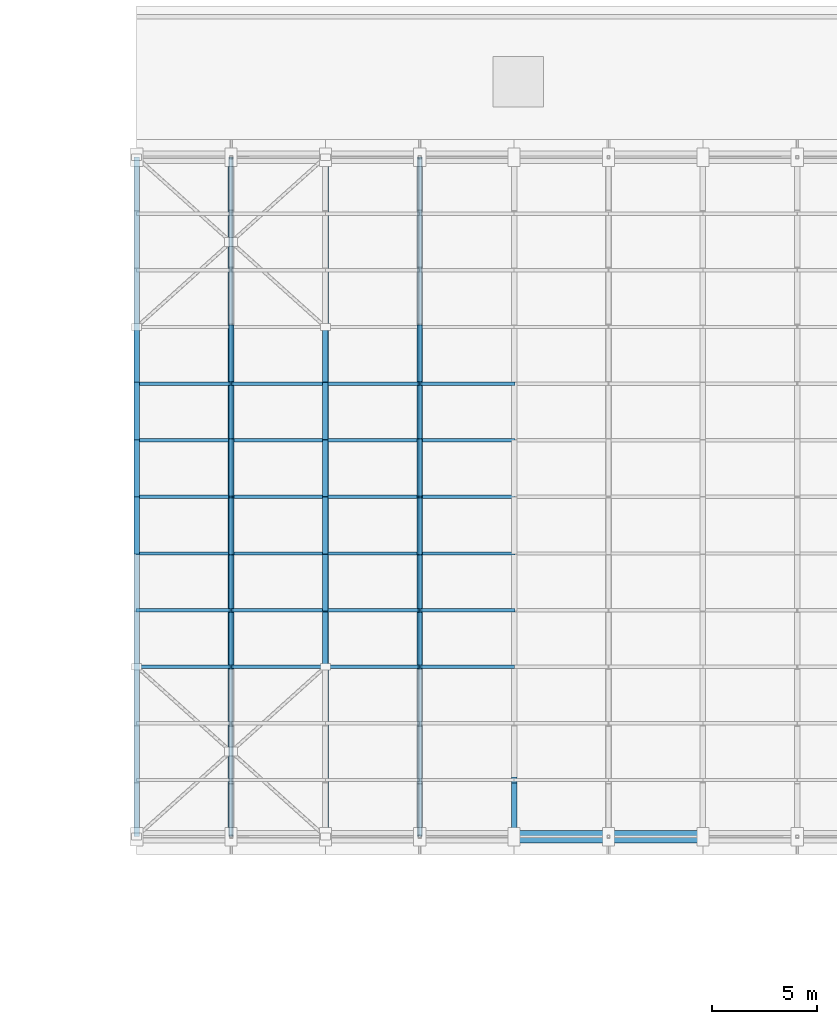
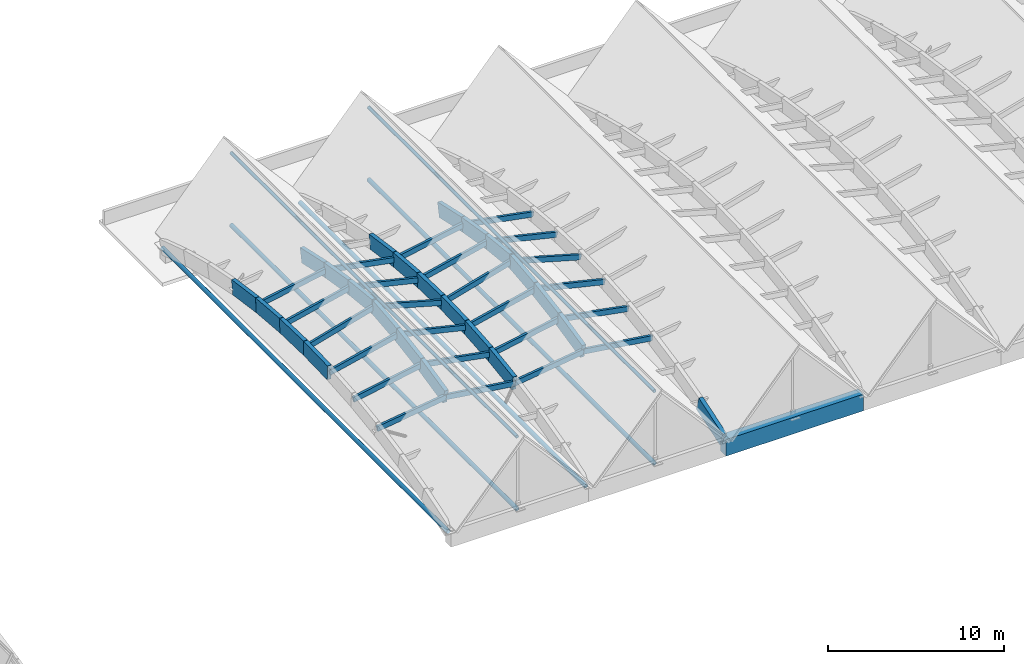
# One storey, part 13 of 39: 53 members, 1 beam.
"""IFC4 building model written with IfcOpenShell, lengths in metres."""

from ifc_helpers import new_model, si_unit, direction, frame, origin, origin_2d, place, context, subcontext, project, spatial, rectangle, hollow_circle, extrude, material, material_profile, profile_set, type_object, element, save


model = new_model("IFC4")

# Units and contexts
model_context = context("Model", 3, precision=1e-05, world=origin(), true_north=direction((0.0, 1.0)))
body_context = subcontext(model_context, "Body", "Model", "MODEL_VIEW")
ifc_project = project(units=[si_unit("LENGTHUNIT", "METRE"), si_unit("AREAUNIT", "SQUARE_METRE"), si_unit("VOLUMEUNIT", "CUBIC_METRE"), si_unit("PLANEANGLEUNIT", "RADIAN"), si_unit("MASSUNIT", "GRAM", prefix="KILO")], contexts=[model_context])

# Site, building, storey
site_placement = place(None, origin())
site = spatial("IfcSite", under=ifc_project, at=site_placement, CompositionType="ELEMENT")
building_placement = place(site_placement, origin())
building = spatial("IfcBuilding", under=site, at=building_placement, Name="Tizgana Railside Sports Hall", CompositionType="ELEMENT")
storey_placement = place(building_placement, frame((0.0, 0.0, 23.699951171875)))
storey = spatial("IfcBuildingStorey", under=building, at=storey_placement, Name="RF", CompositionType="ELEMENT", Elevation=23.699951171875)

# Beam
ifc_material_1 = material(Name="Concrete C40/50", Category="concrete")
ifc_material_profile_1 = material_profile(ifc_material_1, rectangle(XDim=0.60009765625, YDim=1.14990234375, at=origin_2d()), Name="RCB 600x1150")
ifc_profile_set_1 = profile_set([ifc_material_profile_1], Name="Concrete C40/50")
beam_type = type_object("IfcBeamType", Name="Concrete Beam RCB 600x1150", PredefinedType="BEAM", material=ifc_profile_set_1)
beam_placement = place(storey_placement, frame((97.800048828125, 40.800048828125, -3.27490234375), z_axis=(1.0, 0.0, 0.0), x_axis=(0.0, 1.0, 0.0)))
element("IfcBeam", 1, at=beam_placement, inside=storey, type_object=beam_type, Name="RF BEM-1225", PredefinedType="BEAM", context=body_context, shape_type="SweptSolid", body=[
    extrude(rectangle(XDim=0.60009765625, YDim=1.14990234375, at=origin_2d()), origin(), (0.0, 0.0, 1.0), 9.0),
])

# Members
ifc_material_2 = material(Name="Glulam GL32h", Category="wood")
ifc_material_profile_2 = material_profile(ifc_material_2, rectangle(XDim=0.260009765625, YDim=0.97998046875, at=origin_2d()), Name="GL 260x980")
ifc_profile_set_2 = profile_set([ifc_material_profile_2], Name="Glulam GL32h")
member_type_1 = type_object("IfcMemberType", Name="Glulam Arch Segment GL 260x980", PredefinedType="USERDEFINED", material=ifc_profile_set_2)
for number, where, z_axis, x_axis, name in (
    (2, (79.800048828125, 54.300048828125, -0.109619140625), (0.0, 0.999602270029, 0.028201094877), (-1.0, 0.0, 0.0), "RF V2 Arch Chord MEM-0411"),
    (3, (79.800048828125, 57.0, -0.033447265625), (0.0, 0.999602270029, -0.028201094877), (-1.0, 0.0, 0.0), "RF V2 Arch Chord MEM-0412"),
):
    element("IfcMember", number, at=place(storey_placement, frame(where, z_axis=z_axis, x_axis=x_axis)), inside=storey, type_object=member_type_1, Name=name, ObjectType="ARCH_SEGMENT", PredefinedType="USERDEFINED", context=body_context, shape_type="SweptSolid", body=[
        extrude(rectangle(XDim=0.260009765625, YDim=0.97998046875, at=origin_2d()), origin(), (0.0, 0.0, 1.0), 2.700927734375),
    ])
member_1_placement = place(storey_placement, frame((79.800048828125, 59.699951171875, -0.109619140625), z_axis=(0.0, 0.996437422353, -0.084335421586), x_axis=(-1.0, 0.0, 0.0)))
element("IfcMember", 4, at=member_1_placement, inside=storey, type_object=member_type_1, Name="RF V2 Arch Chord MEM-0413", ObjectType="ARCH_SEGMENT", PredefinedType="USERDEFINED", context=body_context, shape_type="SweptSolid", body=[
    extrude(rectangle(XDim=0.260009765625, YDim=0.97998046875, at=origin_2d()), origin(), (0.0, 0.0, 1.0), 2.709716796875),
])
member_2_placement = place(storey_placement, frame((79.800048828125, 62.39990234375, -0.338134765625), z_axis=(0.0, 0.990049503072, -0.140719513456), x_axis=(-1.0, 0.0, 0.0)))
element("IfcMember", 5, at=member_2_placement, inside=storey, type_object=member_type_1, Name="RF V2 Arch Chord MEM-0414", ObjectType="ARCH_SEGMENT", PredefinedType="USERDEFINED", context=body_context, shape_type="SweptSolid", body=[
    extrude(rectangle(XDim=0.260009765625, YDim=0.97998046875, at=origin_2d()), origin(), (0.0, 0.0, 1.0), 2.727294921875),
])
member_3_placement = place(storey_placement, frame((84.300048828125, 48.89990234375, -0.08447265625), z_axis=(0.0, 0.976481148201, 0.21560279963), x_axis=(-1.0, 0.0, 0.0)))
element("IfcMember", 6, at=member_3_placement, inside=storey, type_object=member_type_1, Name="RF V2 Arch Chord MEM-0422", ObjectType="ARCH_SEGMENT", PredefinedType="USERDEFINED", context=body_context, shape_type="SweptSolid", body=[
    extrude(rectangle(XDim=0.260009765625, YDim=0.97998046875, at=origin_2d()), origin(), (0.0, 0.0, 1.0), 2.76513671875),
])
member_4_placement = place(storey_placement, frame((84.300048828125, 51.60009765625, 0.51171875), z_axis=(0.0, 0.986912309377, 0.161257848182), x_axis=(-1.0, 0.0, 0.0)))
element("IfcMember", 7, at=member_4_placement, inside=storey, type_object=member_type_1, Name="RF V2 Arch Chord MEM-0423", ObjectType="ARCH_SEGMENT", PredefinedType="USERDEFINED", context=body_context, shape_type="SweptSolid", body=[
    extrude(rectangle(XDim=0.260009765625, YDim=0.97998046875, at=origin_2d()), origin(), (0.0, 0.0, 1.0), 2.73583984375),
])
for number, where, z_axis, x_axis, name in (
    (8, (84.300048828125, 54.300048828125, 0.952880859375), (0.0, 0.994336672512, 0.106275969519), (-1.0, 0.0, 0.0), "RF V2 Arch Chord MEM-0424"),
    (9, (84.300048828125, 57.0, 1.241455078125), (0.0, 0.994336672512, -0.106275969519), (-1.0, 0.0, 0.0), "RF V2 Arch Chord MEM-0425"),
):
    element("IfcMember", number, at=place(storey_placement, frame(where, z_axis=z_axis, x_axis=x_axis)), inside=storey, type_object=member_type_1, Name=name, ObjectType="ARCH_SEGMENT", PredefinedType="USERDEFINED", context=body_context, shape_type="SweptSolid", body=[
        extrude(rectangle(XDim=0.260009765625, YDim=0.97998046875, at=origin_2d()), origin(), (0.0, 0.0, 1.0), 2.71533203125),
    ])
member_5_placement = place(storey_placement, frame((84.300048828125, 59.699951171875, 0.952880859375), z_axis=(0.0, 0.986912309377, -0.161257848182), x_axis=(-1.0, 0.0, 0.0)))
element("IfcMember", 10, at=member_5_placement, inside=storey, type_object=member_type_1, Name="RF V2 Arch Chord MEM-0426", ObjectType="ARCH_SEGMENT", PredefinedType="USERDEFINED", context=body_context, shape_type="SweptSolid", body=[
    extrude(rectangle(XDim=0.260009765625, YDim=0.97998046875, at=origin_2d()), origin(), (0.0, 0.0, 1.0), 2.73583984375),
])
member_6_placement = place(storey_placement, frame((84.300048828125, 62.39990234375, 0.51171875), z_axis=(0.0, 0.976481148201, -0.21560279963), x_axis=(-1.0, 0.0, 0.0)))
element("IfcMember", 11, at=member_6_placement, inside=storey, type_object=member_type_1, Name="RF V2 Arch Chord MEM-0427", ObjectType="ARCH_SEGMENT", PredefinedType="USERDEFINED", context=body_context, shape_type="SweptSolid", body=[
    extrude(rectangle(XDim=0.260009765625, YDim=0.97998046875, at=origin_2d()), origin(), (0.0, 0.0, 1.0), 2.76513671875),
])
member_7_placement = place(storey_placement, frame((88.800048828125, 48.89990234375, -0.721923828125), z_axis=(0.0, 0.990049503072, 0.140719513456), x_axis=(-1.0, 0.0, 0.0)))
element("IfcMember", 12, at=member_7_placement, inside=storey, type_object=member_type_1, Name="RF V2 Arch Chord MEM-0435", ObjectType="ARCH_SEGMENT", PredefinedType="USERDEFINED", context=body_context, shape_type="SweptSolid", body=[
    extrude(rectangle(XDim=0.260009765625, YDim=0.97998046875, at=origin_2d()), origin(), (0.0, 0.0, 1.0), 2.727294921875),
])
member_8_placement = place(storey_placement, frame((88.800048828125, 51.60009765625, -0.338134765625), z_axis=(0.0, 0.996437422353, 0.084335421586), x_axis=(-1.0, 0.0, 0.0)))
element("IfcMember", 13, at=member_8_placement, inside=storey, type_object=member_type_1, Name="RF V2 Arch Chord MEM-0436", ObjectType="ARCH_SEGMENT", PredefinedType="USERDEFINED", context=body_context, shape_type="SweptSolid", body=[
    extrude(rectangle(XDim=0.260009765625, YDim=0.97998046875, at=origin_2d()), origin(), (0.0, 0.0, 1.0), 2.709716796875),
])
for number, where, z_axis, x_axis, name in (
    (14, (88.800048828125, 54.300048828125, -0.109619140625), (0.0, 0.999602270029, 0.028201094877), (-1.0, 0.0, 0.0), "RF V2 Arch Chord MEM-0437"),
    (15, (88.800048828125, 57.0, -0.033447265625), (0.0, 0.999602270029, -0.028201094877), (-1.0, 0.0, 0.0), "RF V2 Arch Chord MEM-0438"),
):
    element("IfcMember", number, at=place(storey_placement, frame(where, z_axis=z_axis, x_axis=x_axis)), inside=storey, type_object=member_type_1, Name=name, ObjectType="ARCH_SEGMENT", PredefinedType="USERDEFINED", context=body_context, shape_type="SweptSolid", body=[
        extrude(rectangle(XDim=0.260009765625, YDim=0.97998046875, at=origin_2d()), origin(), (0.0, 0.0, 1.0), 2.700927734375),
    ])
member_9_placement = place(storey_placement, frame((88.800048828125, 59.699951171875, -0.109619140625), z_axis=(0.0, 0.996437422353, -0.084335421586), x_axis=(-1.0, 0.0, 0.0)))
element("IfcMember", 16, at=member_9_placement, inside=storey, type_object=member_type_1, Name="RF V2 Arch Chord MEM-0439", ObjectType="ARCH_SEGMENT", PredefinedType="USERDEFINED", context=body_context, shape_type="SweptSolid", body=[
    extrude(rectangle(XDim=0.260009765625, YDim=0.97998046875, at=origin_2d()), origin(), (0.0, 0.0, 1.0), 2.709716796875),
])
member_10_placement = place(storey_placement, frame((88.800048828125, 62.39990234375, -0.338134765625), z_axis=(0.0, 0.990049503072, -0.140719513456), x_axis=(-1.0, 0.0, 0.0)))
element("IfcMember", 17, at=member_10_placement, inside=storey, type_object=member_type_1, Name="RF V2 Arch Chord MEM-0440", ObjectType="ARCH_SEGMENT", PredefinedType="USERDEFINED", context=body_context, shape_type="SweptSolid", body=[
    extrude(rectangle(XDim=0.260009765625, YDim=0.97998046875, at=origin_2d()), origin(), (0.0, 0.0, 1.0), 2.727294921875),
])
member_11_placement = place(storey_placement, frame((93.300048828125, 48.89990234375, -0.08447265625), z_axis=(0.0, 0.976481148201, 0.21560279963), x_axis=(-1.0, 0.0, 0.0)))
element("IfcMember", 18, at=member_11_placement, inside=storey, type_object=member_type_1, Name="RF V2 Arch Chord MEM-0448", ObjectType="ARCH_SEGMENT", PredefinedType="USERDEFINED", context=body_context, shape_type="SweptSolid", body=[
    extrude(rectangle(XDim=0.260009765625, YDim=0.97998046875, at=origin_2d()), origin(), (0.0, 0.0, 1.0), 2.76513671875),
])
member_12_placement = place(storey_placement, frame((93.300048828125, 51.60009765625, 0.51171875), z_axis=(0.0, 0.986912309377, 0.161257848182), x_axis=(-1.0, 0.0, 0.0)))
element("IfcMember", 19, at=member_12_placement, inside=storey, type_object=member_type_1, Name="RF V2 Arch Chord MEM-0449", ObjectType="ARCH_SEGMENT", PredefinedType="USERDEFINED", context=body_context, shape_type="SweptSolid", body=[
    extrude(rectangle(XDim=0.260009765625, YDim=0.97998046875, at=origin_2d()), origin(), (0.0, 0.0, 1.0), 2.73583984375),
])
for number, where, z_axis, x_axis, name in (
    (20, (93.300048828125, 54.300048828125, 0.952880859375), (0.0, 0.994336672512, 0.106275969519), (-1.0, 0.0, 0.0), "RF V2 Arch Chord MEM-0450"),
    (21, (93.300048828125, 57.0, 1.241455078125), (0.0, 0.994336672512, -0.106275969519), (-1.0, 0.0, 0.0), "RF V2 Arch Chord MEM-0451"),
):
    element("IfcMember", number, at=place(storey_placement, frame(where, z_axis=z_axis, x_axis=x_axis)), inside=storey, type_object=member_type_1, Name=name, ObjectType="ARCH_SEGMENT", PredefinedType="USERDEFINED", context=body_context, shape_type="SweptSolid", body=[
        extrude(rectangle(XDim=0.260009765625, YDim=0.97998046875, at=origin_2d()), origin(), (0.0, 0.0, 1.0), 2.71533203125),
    ])
member_13_placement = place(storey_placement, frame((93.300048828125, 59.699951171875, 0.952880859375), z_axis=(0.0, 0.986912309377, -0.161257848182), x_axis=(-1.0, 0.0, 0.0)))
element("IfcMember", 22, at=member_13_placement, inside=storey, type_object=member_type_1, Name="RF V2 Arch Chord MEM-0452", ObjectType="ARCH_SEGMENT", PredefinedType="USERDEFINED", context=body_context, shape_type="SweptSolid", body=[
    extrude(rectangle(XDim=0.260009765625, YDim=0.97998046875, at=origin_2d()), origin(), (0.0, 0.0, 1.0), 2.73583984375),
])
member_14_placement = place(storey_placement, frame((93.300048828125, 62.39990234375, 0.51171875), z_axis=(0.0, 0.976481148201, -0.21560279963), x_axis=(-1.0, 0.0, 0.0)))
element("IfcMember", 23, at=member_14_placement, inside=storey, type_object=member_type_1, Name="RF V2 Arch Chord MEM-0453", ObjectType="ARCH_SEGMENT", PredefinedType="USERDEFINED", context=body_context, shape_type="SweptSolid", body=[
    extrude(rectangle(XDim=0.260009765625, YDim=0.97998046875, at=origin_2d()), origin(), (0.0, 0.0, 1.0), 2.76513671875),
])
member_15_placement = place(storey_placement, frame((97.800048828125, 40.800048828125, -2.849853515625), z_axis=(0.0, 0.950912040346, 0.30946129245), x_axis=(-1.0, 0.0, 0.0)))
element("IfcMember", 24, at=member_15_placement, inside=storey, type_object=member_type_1, Name="RF V2 Arch Chord MEM-0458", ObjectType="ARCH_SEGMENT", PredefinedType="USERDEFINED", context=body_context, shape_type="SweptSolid", body=[
    extrude(rectangle(XDim=0.260009765625, YDim=0.97998046875, at=origin_2d()), origin(), (0.0, 0.0, 1.0), 2.83935546875),
])
ifc_material_3 = material(Name="Glulam GL28h", Category="wood")
ifc_material_profile_3 = material_profile(ifc_material_3, rectangle(XDim=0.159912109375, YDim=0.360107421875, at=origin_2d()), Name="GL 160x360")
ifc_profile_set_3 = profile_set([ifc_material_profile_3], Name="Glulam GL28h")
member_type_2 = type_object("IfcMemberType", Name="Glulam Roof Purlin GL 160x360", PredefinedType="PURLIN", material=ifc_profile_set_3)
for number, where, z_axis, x_axis, name in (
    (25, (79.800048828125, 48.89990234375, -0.721923828125), (0.990115330681, 0.0, 0.140255595074), (0.0, 1.0, 0.0), "RF V2 Purlin MEM-0581"),
    (26, (84.300048828125, 48.89990234375, -0.08447265625), (0.990115330681, 0.0, -0.140255595074), (0.0, 1.0, 0.0), "RF V2 Purlin MEM-0582"),
):
    element("IfcMember", number, at=place(storey_placement, frame(where, z_axis=z_axis, x_axis=x_axis)), inside=storey, type_object=member_type_2, Name=name, PredefinedType="PURLIN", context=body_context, shape_type="SweptSolid", body=[
        extrude(rectangle(XDim=0.159912109375, YDim=0.360107421875, at=origin_2d()), origin(), (0.0, 0.0, 1.0), 4.544921875),
    ])
for number, where, z_axis, x_axis, name in (
    (27, (79.800048828125, 51.60009765625, -0.338134765625), (0.982629934955, 0.0, 0.185575889951), (0.0, 1.0, 0.0), "RF V2 Purlin MEM-0583"),
    (28, (84.300048828125, 51.60009765625, 0.51171875), (0.982629934955, 0.0, -0.185575889951), (0.0, 1.0, 0.0), "RF V2 Purlin MEM-0584"),
):
    element("IfcMember", number, at=place(storey_placement, frame(where, z_axis=z_axis, x_axis=x_axis)), inside=storey, type_object=member_type_2, Name=name, PredefinedType="PURLIN", context=body_context, shape_type="SweptSolid", body=[
        extrude(rectangle(XDim=0.159912109375, YDim=0.360107421875, at=origin_2d()), origin(), (0.0, 0.0, 1.0), 4.57958984375),
    ])
for number, where, z_axis, x_axis, name in (
    (29, (79.800048828125, 54.300048828125, -0.109619140625), (0.97323960179, 0.0, 0.229792683756), (0.0, 1.0, 0.0), "RF V2 Purlin MEM-0585"),
    (30, (84.300048828125, 54.300048828125, 0.952880859375), (0.97323960179, 0.0, -0.229792683756), (0.0, 1.0, 0.0), "RF V2 Purlin MEM-0586"),
):
    element("IfcMember", number, at=place(storey_placement, frame(where, z_axis=z_axis, x_axis=x_axis)), inside=storey, type_object=member_type_2, Name=name, PredefinedType="PURLIN", context=body_context, shape_type="SweptSolid", body=[
        extrude(rectangle(XDim=0.159912109375, YDim=0.360107421875, at=origin_2d()), origin(), (0.0, 0.0, 1.0), 4.623779296875),
    ])
for number, where, z_axis, x_axis, name in (
    (31, (79.800048828125, 57.0, -0.033447265625), (0.962132202387, 0.0, 0.272583244405), (0.0, 1.0, 0.0), "RF V2 Purlin MEM-0587"),
    (32, (84.300048828125, 57.0, 1.241455078125), (0.962132202387, 0.0, -0.272583244405), (0.0, 1.0, 0.0), "RF V2 Purlin MEM-0588"),
):
    element("IfcMember", number, at=place(storey_placement, frame(where, z_axis=z_axis, x_axis=x_axis)), inside=storey, type_object=member_type_2, Name=name, PredefinedType="PURLIN", context=body_context, shape_type="SweptSolid", body=[
        extrude(rectangle(XDim=0.159912109375, YDim=0.360107421875, at=origin_2d()), origin(), (0.0, 0.0, 1.0), 4.677001953125),
    ])
for number, where, z_axis, x_axis, name in (
    (33, (79.800048828125, 59.699951171875, -0.109619140625), (0.97323960179, 0.0, 0.229792683756), (0.0, 1.0, 0.0), "RF V2 Purlin MEM-0589"),
    (34, (84.300048828125, 59.699951171875, 0.952880859375), (0.97323960179, 0.0, -0.229792683756), (0.0, 1.0, 0.0), "RF V2 Purlin MEM-0590"),
):
    element("IfcMember", number, at=place(storey_placement, frame(where, z_axis=z_axis, x_axis=x_axis)), inside=storey, type_object=member_type_2, Name=name, PredefinedType="PURLIN", context=body_context, shape_type="SweptSolid", body=[
        extrude(rectangle(XDim=0.159912109375, YDim=0.360107421875, at=origin_2d()), origin(), (0.0, 0.0, 1.0), 4.623779296875),
    ])
for number, where, z_axis, x_axis, name in (
    (35, (79.800048828125, 62.39990234375, -0.338134765625), (0.982629934955, 0.0, 0.185575889951), (0.0, 1.0, 0.0), "RF V2 Purlin MEM-0591"),
    (36, (84.300048828125, 62.39990234375, 0.51171875), (0.982629934955, 0.0, -0.185575889951), (0.0, 1.0, 0.0), "RF V2 Purlin MEM-0592"),
):
    element("IfcMember", number, at=place(storey_placement, frame(where, z_axis=z_axis, x_axis=x_axis)), inside=storey, type_object=member_type_2, Name=name, PredefinedType="PURLIN", context=body_context, shape_type="SweptSolid", body=[
        extrude(rectangle(XDim=0.159912109375, YDim=0.360107421875, at=origin_2d()), origin(), (0.0, 0.0, 1.0), 4.57958984375),
    ])
for number, where, z_axis, x_axis, name in (
    (37, (88.800048828125, 48.89990234375, -0.721923828125), (0.990115330681, 0.0, 0.140255595074), (0.0, 1.0, 0.0), "RF V2 Purlin MEM-0612"),
    (38, (93.300048828125, 48.89990234375, -0.08447265625), (0.990115330681, 0.0, -0.140255595074), (0.0, 1.0, 0.0), "RF V2 Purlin MEM-0613"),
):
    element("IfcMember", number, at=place(storey_placement, frame(where, z_axis=z_axis, x_axis=x_axis)), inside=storey, type_object=member_type_2, Name=name, PredefinedType="PURLIN", context=body_context, shape_type="SweptSolid", body=[
        extrude(rectangle(XDim=0.159912109375, YDim=0.360107421875, at=origin_2d()), origin(), (0.0, 0.0, 1.0), 4.544921875),
    ])
for number, where, z_axis, x_axis, name in (
    (39, (88.800048828125, 51.60009765625, -0.338134765625), (0.982629934955, 0.0, 0.185575889951), (0.0, 1.0, 0.0), "RF V2 Purlin MEM-0614"),
    (40, (93.300048828125, 51.60009765625, 0.51171875), (0.982629934955, 0.0, -0.185575889951), (0.0, 1.0, 0.0), "RF V2 Purlin MEM-0615"),
):
    element("IfcMember", number, at=place(storey_placement, frame(where, z_axis=z_axis, x_axis=x_axis)), inside=storey, type_object=member_type_2, Name=name, PredefinedType="PURLIN", context=body_context, shape_type="SweptSolid", body=[
        extrude(rectangle(XDim=0.159912109375, YDim=0.360107421875, at=origin_2d()), origin(), (0.0, 0.0, 1.0), 4.57958984375),
    ])
for number, where, z_axis, x_axis, name in (
    (41, (88.800048828125, 54.300048828125, -0.109619140625), (0.97323960179, 0.0, 0.229792683756), (0.0, 1.0, 0.0), "RF V2 Purlin MEM-0616"),
    (42, (93.300048828125, 54.300048828125, 0.952880859375), (0.97323960179, 0.0, -0.229792683756), (0.0, 1.0, 0.0), "RF V2 Purlin MEM-0617"),
):
    element("IfcMember", number, at=place(storey_placement, frame(where, z_axis=z_axis, x_axis=x_axis)), inside=storey, type_object=member_type_2, Name=name, PredefinedType="PURLIN", context=body_context, shape_type="SweptSolid", body=[
        extrude(rectangle(XDim=0.159912109375, YDim=0.360107421875, at=origin_2d()), origin(), (0.0, 0.0, 1.0), 4.623779296875),
    ])
for number, where, z_axis, x_axis, name in (
    (43, (88.800048828125, 57.0, -0.033447265625), (0.962132202387, 0.0, 0.272583244405), (0.0, 1.0, 0.0), "RF V2 Purlin MEM-0618"),
    (44, (93.300048828125, 57.0, 1.241455078125), (0.962132202387, 0.0, -0.272583244405), (0.0, 1.0, 0.0), "RF V2 Purlin MEM-0619"),
):
    element("IfcMember", number, at=place(storey_placement, frame(where, z_axis=z_axis, x_axis=x_axis)), inside=storey, type_object=member_type_2, Name=name, PredefinedType="PURLIN", context=body_context, shape_type="SweptSolid", body=[
        extrude(rectangle(XDim=0.159912109375, YDim=0.360107421875, at=origin_2d()), origin(), (0.0, 0.0, 1.0), 4.677001953125),
    ])
for number, where, z_axis, x_axis, name in (
    (45, (88.800048828125, 59.699951171875, -0.109619140625), (0.97323960179, 0.0, 0.229792683756), (0.0, 1.0, 0.0), "RF V2 Purlin MEM-0620"),
    (46, (93.300048828125, 59.699951171875, 0.952880859375), (0.97323960179, 0.0, -0.229792683756), (0.0, 1.0, 0.0), "RF V2 Purlin MEM-0621"),
):
    element("IfcMember", number, at=place(storey_placement, frame(where, z_axis=z_axis, x_axis=x_axis)), inside=storey, type_object=member_type_2, Name=name, PredefinedType="PURLIN", context=body_context, shape_type="SweptSolid", body=[
        extrude(rectangle(XDim=0.159912109375, YDim=0.360107421875, at=origin_2d()), origin(), (0.0, 0.0, 1.0), 4.623779296875),
    ])
for number, where, z_axis, x_axis, name in (
    (47, (88.800048828125, 62.39990234375, -0.338134765625), (0.982629934955, 0.0, 0.185575889951), (0.0, 1.0, 0.0), "RF V2 Purlin MEM-0622"),
    (48, (93.300048828125, 62.39990234375, 0.51171875), (0.982629934955, 0.0, -0.185575889951), (0.0, 1.0, 0.0), "RF V2 Purlin MEM-0623"),
):
    element("IfcMember", number, at=place(storey_placement, frame(where, z_axis=z_axis, x_axis=x_axis)), inside=storey, type_object=member_type_2, Name=name, PredefinedType="PURLIN", context=body_context, shape_type="SweptSolid", body=[
        extrude(rectangle(XDim=0.159912109375, YDim=0.360107421875, at=origin_2d()), origin(), (0.0, 0.0, 1.0), 4.57958984375),
    ])
ifc_material_4 = material(Name="Steel S355J2", Category="steel")
ifc_material_profile_4 = material_profile(ifc_material_4, hollow_circle(Radius=0.109619140625, WallThickness=0.010009765625, at=origin_2d()), Name="CHS 219.1x10")
ifc_profile_set_4 = profile_set([ifc_material_profile_4], Name="Steel S355J2")
member_type_3 = type_object("IfcMemberType", Name="Steel Chord CHS 219.1x10", PredefinedType="CHORD", material=ifc_profile_set_4)
for number, where, z_axis, x_axis, name in (
    (49, (84.300048828125, 40.800048828125, 2.050048828125), (0.0, 1.0, 0.0), (-1.0, 0.0, 0.0), "RF V2 Ridge Chord MEM-0576"),
    (50, (93.300048828125, 40.800048828125, 2.050048828125), (0.0, 1.0, 0.0), (-1.0, 0.0, 0.0), "RF V2 Ridge Chord MEM-0607"),
):
    element("IfcMember", number, at=place(storey_placement, frame(where, z_axis=z_axis, x_axis=x_axis)), inside=storey, type_object=member_type_3, Name=name, PredefinedType="CHORD", context=body_context, shape_type="SweptSolid", body=[
        extrude(hollow_circle(Radius=0.109619140625, WallThickness=0.010009765625, at=origin_2d()), origin(), (0.0, 0.0, 1.0), 32.39990234375),
    ])
ifc_material_profile_5 = material_profile(ifc_material_4, hollow_circle(Radius=0.136474609375, WallThickness=0.012451171875, at=origin_2d()), Name="CHS 273x12.5")
ifc_profile_set_5 = profile_set([ifc_material_profile_5], Name="Steel S355J2")
member_type_4 = type_object("IfcMemberType", Name="Steel Chord CHS 273x12.5", PredefinedType="CHORD", material=ifc_profile_set_5)
for number, where, z_axis, x_axis, name in (
    (51, (79.800048828125, 40.800048828125, -2.949951171875), (0.0, 1.0, 0.0), (-1.0, 0.0, 0.0), "RF V2 Tie Chord MEM-0405"),
    (52, (84.300048828125, 40.800048828125, -2.949951171875), (0.0, 1.0, 0.0), (-1.0, 0.0, 0.0), "RF V2 Tie Chord MEM-0418"),
    (53, (88.800048828125, 40.800048828125, -2.949951171875), (0.0, 1.0, 0.0), (-1.0, 0.0, 0.0), "RF V2 Tie Chord MEM-0431"),
    (54, (93.300048828125, 40.800048828125, -2.949951171875), (0.0, 1.0, 0.0), (-1.0, 0.0, 0.0), "RF V2 Tie Chord MEM-0444"),
):
    element("IfcMember", number, at=place(storey_placement, frame(where, z_axis=z_axis, x_axis=x_axis)), inside=storey, type_object=member_type_4, Name=name, PredefinedType="CHORD", context=body_context, shape_type="SweptSolid", body=[
        extrude(hollow_circle(Radius=0.136474609375, WallThickness=0.012451171875, at=origin_2d()), origin(), (0.0, 0.0, 1.0), 32.39990234375),
    ])

save(model, "model.ifc")
